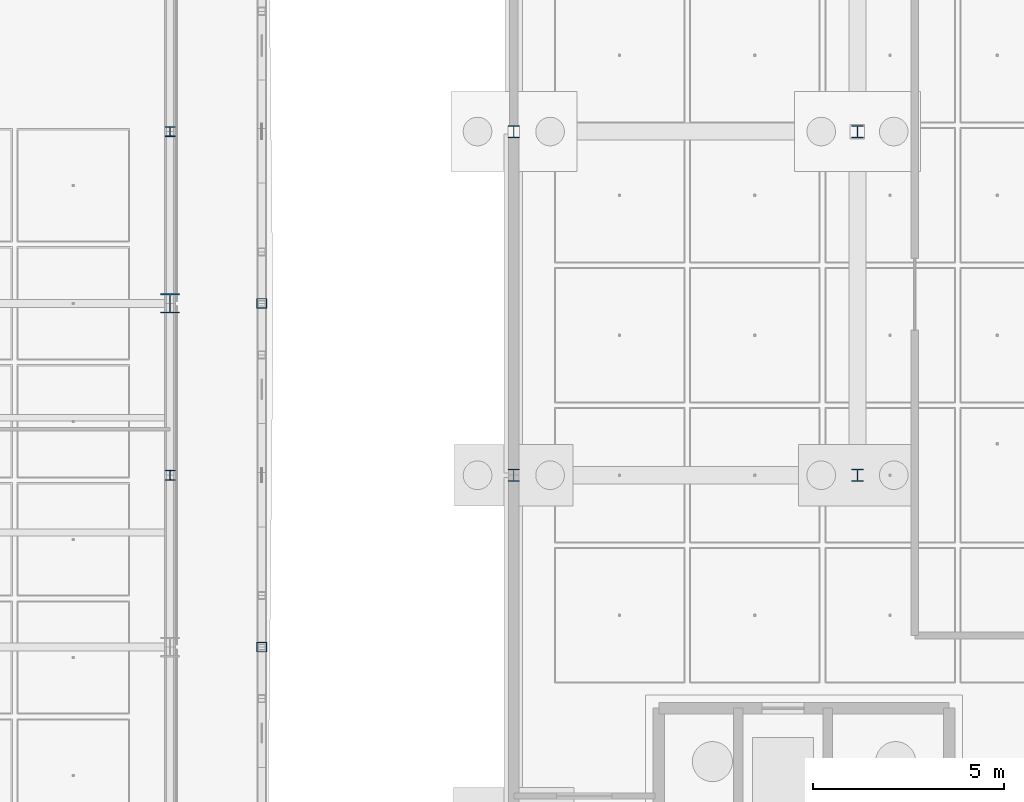
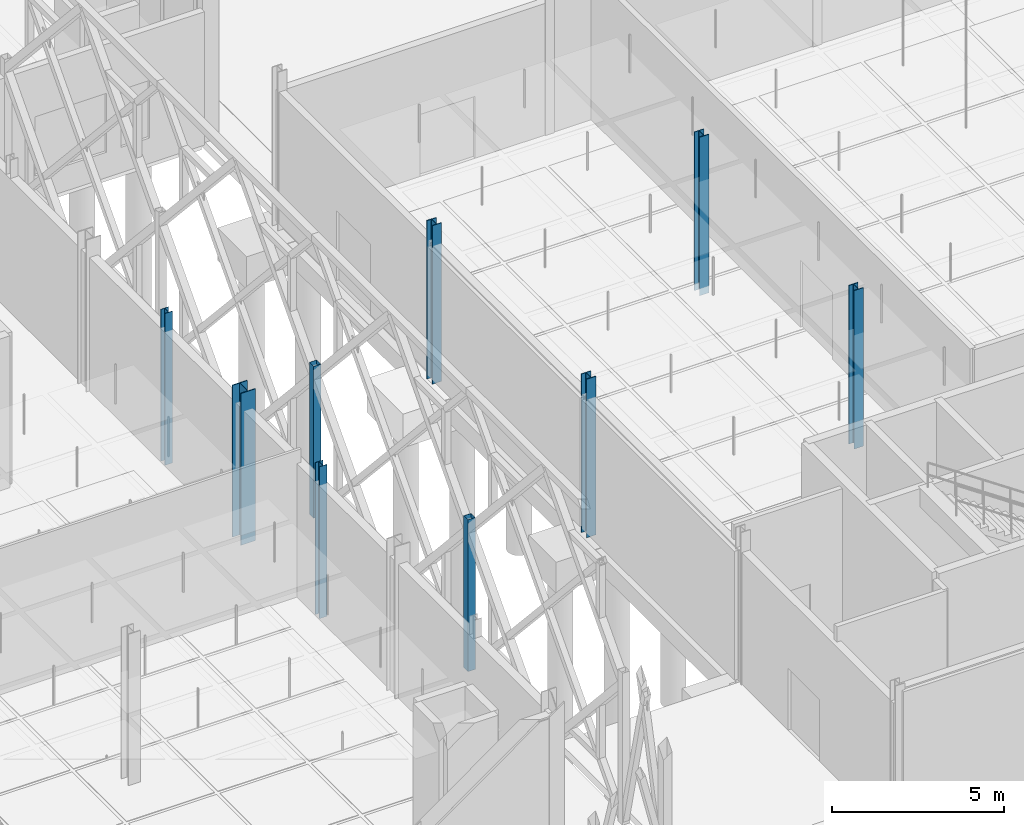
# One storey, part 12 of 180: 9 columns.
"""IFC4 building model written with IfcOpenShell, lengths in metres."""

from ifc_helpers import new_model, si_unit, direction, frame, origin, origin_2d, place, context, subcontext, project, spatial, hollow_rectangle, i_section, extrude, material, material_profile, profile_set, type_object, element, save


model = new_model("IFC4")

# Units and contexts
model_context = context("Model", 3, precision=1e-05, world=origin(), true_north=direction((0.0, 1.0)))
body_context = subcontext(model_context, "Body", "Model", "MODEL_VIEW")
ifc_project = project(units=[si_unit("LENGTHUNIT", "METRE"), si_unit("AREAUNIT", "SQUARE_METRE"), si_unit("VOLUMEUNIT", "CUBIC_METRE"), si_unit("PLANEANGLEUNIT", "RADIAN"), si_unit("MASSUNIT", "GRAM", prefix="KILO"), si_unit("THERMODYNAMICTEMPERATUREUNIT", "KELVIN"), si_unit("POWERUNIT", "WATT")], contexts=[model_context])

# Site, building, storey
site_placement = place(None, origin())
site = spatial("IfcSite", under=ifc_project, at=site_placement, CompositionType="ELEMENT")
building_placement = place(site_placement, origin())
building = spatial("IfcBuilding", under=site, at=building_placement, Name="Tallowbark Science Centre", CompositionType="ELEMENT")
storey_placement = place(building_placement, origin())
storey = spatial("IfcBuildingStorey", under=building, at=storey_placement, Name="L00", CompositionType="ELEMENT", Elevation=0.0)

# Columns
ifc_material_1 = material(Name="White Architectural Painted Steel Grade C350L0 (350 MPa)", Category="steel")
ifc_material_profile_1 = material_profile(ifc_material_1, hollow_rectangle(XDim=0.25, YDim=0.25, WallThickness=0.009033203125, at=origin_2d()), Name="250x250x9.0SHS")
ifc_profile_set_1 = profile_set([ifc_material_profile_1], Name="White Architectural Painted Steel Grade C350L0 (350 MPa)")
column_type_1 = type_object("IfcColumnType", Name="COL-SCR200", PredefinedType="COLUMN", material=ifc_profile_set_1)
for number, where, z_axis, x_axis, name in (
    (1, (105.89990234375, 13.5, 0.0), (0.0, 0.0, 1.0), (1.0, 0.0, 0.0), "Column SCR-E02 L00"),
    (2, (105.89990234375, 22.5, 0.0), (0.0, 0.0, 1.0), (1.0, 0.0, 0.0), "Column SCR-E03 L00"),
):
    element("IfcColumn", number, at=place(storey_placement, frame(where, z_axis=z_axis, x_axis=x_axis)), inside=storey, type_object=column_type_1, Name=name, PredefinedType="COLUMN", context=body_context, shape_type="SweptSolid", body=[
        extrude(hollow_rectangle(XDim=0.25, YDim=0.25, WallThickness=0.009033203125, at=origin_2d()), origin(), (0.0, 0.0, 1.0), 5.39990234375),
    ])
ifc_material_2 = material(Name="Structural Steel Grade 300PLUS (300 MPa)", Category="steel")
ifc_material_profile_2 = material_profile(ifc_material_2, i_section(OverallWidth=0.311279296875, OverallDepth=0.3271484375, WebThickness=0.015625, FlangeThickness=0.02490234375, FilletRadius=0.0166015625, at=origin_2d()), Name="310UC158")
ifc_profile_set_2 = profile_set([ifc_material_profile_2], Name="Structural Steel Grade 300PLUS (300 MPa)")
column_type_2 = type_object("IfcColumnType", Name="COL-UC310A", PredefinedType="COLUMN", material=ifc_profile_set_2)
for number, where, z_axis, x_axis, name in (
    (3, (112.5, 18.0, -0.239990234375), (0.0, 0.0, 1.0), (1.0, 0.0, 0.0), "Column THT-M0_2 L00"),
    (4, (112.5, 27.0, -0.239990234375), (0.0, 0.0, 1.0), (1.0, 0.0, 0.0), "Column THT-M0_3 L00"),
    (5, (121.5, 18.0, -0.239990234375), (0.0, 0.0, 1.0), (1.0, 0.0, 0.0), "Column THT-M1_2 L00"),
    (6, (121.5, 27.0, -0.239990234375), (0.0, 0.0, 1.0), (1.0, 0.0, 0.0), "Column THT-M1_3 L00"),
):
    element("IfcColumn", number, at=place(storey_placement, frame(where, z_axis=z_axis, x_axis=x_axis)), inside=storey, type_object=column_type_2, Name=name, PredefinedType="COLUMN", context=body_context, shape_type="SweptSolid", body=[
        extrude(i_section(OverallWidth=0.311279296875, OverallDepth=0.3271484375, WebThickness=0.015625, FlangeThickness=0.02490234375, FilletRadius=0.0166015625, at=origin_2d()), origin(), (0.0, 0.0, 1.0), 5.639892578125),
    ])
ifc_material_profile_3 = material_profile(ifc_material_2, i_section(OverallWidth=0.5, OverallDepth=0.513916015625, WebThickness=0.02197265625, FlangeThickness=0.031982421875, FilletRadius=0.01611328125, at=origin_2d()), Name="500WC340")
ifc_profile_set_3 = profile_set([ifc_material_profile_3], Name="Structural Steel Grade 300PLUS (300 MPa)")
column_type_3 = type_object("IfcColumnType", Name="COL-WC500", PredefinedType="COLUMN", material=ifc_profile_set_3)
column_placement = place(storey_placement, frame((103.5, 22.5, 0.0), z_axis=(0.0, 0.0, 1.0), x_axis=(1.0, 0.0, 0.0)))
element("IfcColumn", 7, at=column_placement, inside=storey, type_object=column_type_3, Name="Column CUB-M5_2 L00", PredefinedType="COLUMN", context=body_context, shape_type="SweptSolid", body=[
    extrude(i_section(OverallWidth=0.5, OverallDepth=0.513916015625, WebThickness=0.02197265625, FlangeThickness=0.031982421875, FilletRadius=0.01611328125, at=origin_2d()), origin(), (0.0, 0.0, 1.0), 5.39990234375),
])
ifc_material_profile_4 = material_profile(ifc_material_2, i_section(OverallWidth=0.256103515625, OverallDepth=0.260009765625, WebThickness=0.010498046875, FlangeThickness=0.017333984375, FilletRadius=0.013916015625, at=origin_2d()), Name="250UC89.5")
ifc_profile_set_4 = profile_set([ifc_material_profile_4], Name="Structural Steel Grade 300PLUS (300 MPa)")
column_type_4 = type_object("IfcColumnType", Name="PIL-UC250", PredefinedType="PILASTER", material=ifc_profile_set_4)
for number, where, z_axis, x_axis, name in (
    (8, (103.5, 18.0, 0.0), (0.0, 0.0, 1.0), (1.0, 0.0, 0.0), "Column CUB-PE-1 L00"),
    (9, (103.5, 27.0, 0.0), (0.0, 0.0, 1.0), (1.0, 0.0, 0.0), "Column CUB-PE-2 L00"),
):
    element("IfcColumn", number, at=place(storey_placement, frame(where, z_axis=z_axis, x_axis=x_axis)), inside=storey, type_object=column_type_4, Name=name, PredefinedType="PILASTER", context=body_context, shape_type="SweptSolid", body=[
        extrude(i_section(OverallWidth=0.256103515625, OverallDepth=0.260009765625, WebThickness=0.010498046875, FlangeThickness=0.017333984375, FilletRadius=0.013916015625, at=origin_2d()), origin(), (0.0, 0.0, 1.0), 5.39990234375),
    ])

save(model, "model.ifc")
